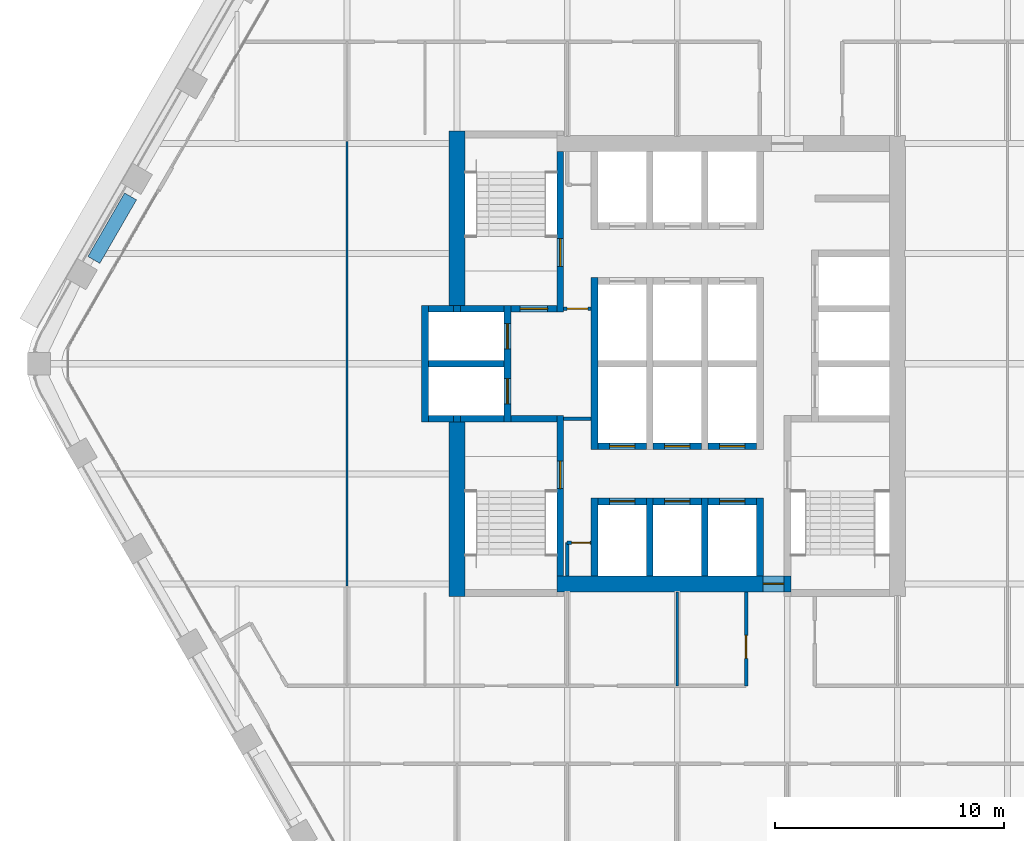
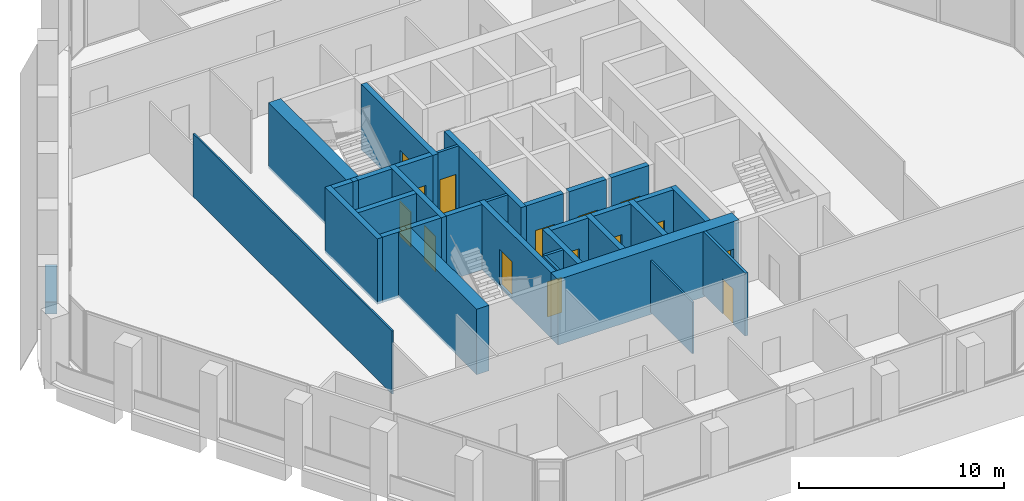
# One storey, part 9 of 15: 35 walls, 15 doors, 15 openings.
"""IFC4 building model written with IfcOpenShell, lengths in metres."""

from ifc_helpers import new_model, si_unit, direction, frame, frame_2d, origin, place, context, subcontext, project, spatial, rectangle, extrude, material, layer, layer_set, type_object, element, fill, save


model = new_model("IFC4")

# Units and contexts
model_context = context("Model", 3, precision=1e-05, world=origin(), true_north=direction((0.0, 1.0)))
body_context = subcontext(model_context, "Body", "Model", "MODEL_VIEW")
ifc_project = project(units=[si_unit("LENGTHUNIT", "METRE"), si_unit("AREAUNIT", "SQUARE_METRE"), si_unit("VOLUMEUNIT", "CUBIC_METRE"), si_unit("PLANEANGLEUNIT", "RADIAN"), si_unit("MASSUNIT", "GRAM", prefix="KILO")], contexts=[model_context])

# Site, building, storey
site_placement = place(None, origin())
site = spatial("IfcSite", under=ifc_project, at=site_placement, CompositionType="ELEMENT")
building_placement = place(site_placement, origin())
building = spatial("IfcBuilding", under=site, at=building_placement, Name="Kolab Exchange Tower", CompositionType="ELEMENT")
storey_placement = place(building_placement, frame((0.0, 0.0, 142.699951171875)))
storey = spatial("IfcBuildingStorey", under=building, at=storey_placement, Name="L28", CompositionType="ELEMENT", Elevation=142.699951171875)

# Wall, opening, door
ifc_material_1 = material(Name="Concrete C60/75", Category="concrete")
ifc_layer_1 = layer(ifc_material_1, 0.699951171875)
ifc_layer_set_1 = layer_set([ifc_layer_1], Name="Concrete C60/75")
wall_type_1 = type_object("IfcWallType", Name="CORE WALL 700 C60/75", PredefinedType="SHEAR", material=ifc_layer_set_1)
wall_1_placement = place(storey_placement, frame((-5.25, -9.60009765625, -0.14990234375), z_axis=(0.0, 0.0, 1.0), x_axis=(1.0, 0.0, 0.0)))
wall_1 = element("IfcWall", 1, at=wall_1_placement, inside=storey, type_object=wall_type_1, Name="wall/L28/core/002", PredefinedType="SHEAR", context=body_context, shape_type="SweptSolid", body=[
    extrude(rectangle(XDim=10.199951171875, YDim=0.699951171875, at=frame_2d((5.10009765625, 0.0))), origin(), (0.0, 0.0, 1.0), 3.89990234375),
])
opening_1_placement = place(wall_1_placement, frame((9.0, 0.0, 0.14990234375)))
opening_1 = element("IfcOpeningElement", 2, at=opening_1_placement, cuts=wall_1, Name="Opening D6-287", PredefinedType="OPENING", context=body_context, shape_type="SweptSolid", body=[
    extrude(rectangle(XDim=0.89990234375, YDim=2.10009765625, at=frame_2d((0.449951171875, 1.050048828125))), frame((0.0, 0.35986328125, 0.0), z_axis=(0.0, -1.0, 0.0), x_axis=(1.0, 0.0, 0.0)), (0.0, 0.0, 1.0), 0.719970703125),
])
ifc_material_2 = material(Name="Steel S235", Category="steel")
door_type_1 = type_object("IfcDoorType", Name="CORE DOOR 900 EI 120", OperationType="SINGLE_SWING_LEFT", PredefinedType="DOOR", material=ifc_material_2)
door_1_placement = place(opening_1_placement, origin())
door_1 = element("IfcDoor", 3, at=door_1_placement, inside=storey, type_object=door_type_1, Name="Core lobby door", OperationType="SINGLE_SWING_LEFT", OverallHeight=2.10009765625, OverallWidth=0.89990234375, PredefinedType="DOOR", context=body_context, shape_type="SweptSolid", body=[
    extrude(rectangle(XDim=0.89990234375, YDim=2.10009765625, at=frame_2d((0.449951171875, 1.050048828125))), frame((0.0, 0.02490234375, 0.0), z_axis=(0.0, -1.0, 0.0), x_axis=(1.0, 0.0, 0.0)), (0.0, 0.0, 1.0), 0.050048828125),
])
fill(opening_1, door_1)

# Walls
for number, where, z_axis, x_axis, name in (
    (4, (-9.60009765625, -10.14990234375, -0.14990234375), (0.0, 0.0, 1.0), (0.0, 1.0, 0.0), "wall/L28/core/034"),
    (5, (-9.60009765625, 2.550048828125, -0.14990234375), (0.0, 0.0, 1.0), (0.0, 1.0, 0.0), "wall/L28/core/037"),
):
    element("IfcWall", number, at=place(storey_placement, frame(where, z_axis=z_axis, x_axis=x_axis)), inside=storey, type_object=wall_type_1, Name=name, PredefinedType="SHEAR", context=body_context, shape_type="SweptSolid", body=[
        extrude(rectangle(XDim=7.599853515625, YDim=0.699951171875, at=frame_2d((3.7998046875, 0.0))), origin(), (0.0, 0.0, 1.0), 3.89990234375),
    ])

# Wall, opening, door
ifc_material_3 = material(Name="Concrete C50/60", Category="concrete")
ifc_layer_2 = layer(ifc_material_3, 0.300048828125)
ifc_layer_set_2 = layer_set([ifc_layer_2], Name="Concrete C50/60")
wall_type_2 = type_object("IfcWallType", Name="LIFT SHAFT WALL 300 C50/60", PredefinedType="STANDARD", material=ifc_layer_set_2)
wall_2_placement = place(storey_placement, frame((-3.449951171875, -6.0, -0.14990234375), z_axis=(0.0, 0.0, 1.0), x_axis=(1.0, 0.0, 0.0)))
wall_2 = element("IfcWall", 6, at=wall_2_placement, inside=storey, type_object=wall_type_2, Name="wall/L28/core/003", PredefinedType="STANDARD", context=body_context, shape_type="SweptSolid", body=[
    extrude(rectangle(XDim=2.099853515625, YDim=0.300048828125, at=frame_2d((1.0498046875, 0.0))), origin(), (0.0, 0.0, 1.0), 3.89990234375),
])
opening_2_placement = place(wall_2_placement, frame((0.5, 0.0, 0.14990234375)))
opening_2 = element("IfcOpeningElement", 7, at=opening_2_placement, cuts=wall_2, Name="Opening LD1-110", PredefinedType="OPENING", context=body_context, shape_type="SweptSolid", body=[
    extrude(rectangle(XDim=1.10009765625, YDim=2.10009765625, at=frame_2d((0.550048828125, 1.050048828125))), frame((0.0, 0.16015625, 0.0), z_axis=(0.0, -1.0, 0.0), x_axis=(1.0, 0.0, 0.0)), (0.0, 0.0, 1.0), 0.320068359375),
])
ifc_material_4 = material(Name="Stainless steel 316", Category="steel")
door_type_2 = type_object("IfcDoorType", Name="LANDING DOOR 1100 PASSENGER", OperationType="DOUBLE_DOOR_SLIDING", PredefinedType="DOOR", material=ifc_material_4)
door_2_placement = place(opening_2_placement, origin())
door_2 = element("IfcDoor", 8, at=door_2_placement, inside=storey, type_object=door_type_2, Name="Landing door HR10", OperationType="DOUBLE_DOOR_SLIDING", OverallHeight=2.10009765625, OverallWidth=1.10009765625, PredefinedType="DOOR", context=body_context, shape_type="SweptSolid", body=[
    extrude(rectangle(XDim=1.10009765625, YDim=2.10009765625, at=frame_2d((0.550048828125, 1.050048828125))), frame((0.0, 0.02490234375, 0.0), z_axis=(0.0, -1.0, 0.0), x_axis=(1.0, 0.0, 0.0)), (0.0, 0.0, 1.0), 0.050048828125),
])
fill(opening_2, door_2)

wall_3_placement = place(storey_placement, frame((-1.050048828125, -6.0, -0.14990234375), z_axis=(0.0, 0.0, 1.0), x_axis=(1.0, 0.0, 0.0)))
wall_3 = element("IfcWall", 9, at=wall_3_placement, inside=storey, type_object=wall_type_2, Name="wall/L28/core/004", PredefinedType="STANDARD", context=body_context, shape_type="SweptSolid", body=[
    extrude(rectangle(XDim=2.10009765625, YDim=0.300048828125, at=frame_2d((1.050048828125, 0.0))), origin(), (0.0, 0.0, 1.0), 3.89990234375),
])
opening_3_placement = place(wall_3_placement, frame((0.5, 0.0, 0.14990234375)))
opening_3 = element("IfcOpeningElement", 10, at=opening_3_placement, cuts=wall_3, Name="Opening LD1-111", PredefinedType="OPENING", context=body_context, shape_type="SweptSolid", body=[
    extrude(rectangle(XDim=1.10009765625, YDim=2.10009765625, at=frame_2d((0.550048828125, 1.050048828125))), frame((0.0, 0.16015625, 0.0), z_axis=(0.0, -1.0, 0.0), x_axis=(1.0, 0.0, 0.0)), (0.0, 0.0, 1.0), 0.320068359375),
])
door_3_placement = place(opening_3_placement, origin())
door_3 = element("IfcDoor", 11, at=door_3_placement, inside=storey, type_object=door_type_2, Name="Landing door HR11", OperationType="DOUBLE_DOOR_SLIDING", OverallHeight=2.10009765625, OverallWidth=1.10009765625, PredefinedType="DOOR", context=body_context, shape_type="SweptSolid", body=[
    extrude(rectangle(XDim=1.10009765625, YDim=2.10009765625, at=frame_2d((0.550048828125, 1.050048828125))), frame((0.0, 0.02490234375, 0.0), z_axis=(0.0, -1.0, 0.0), x_axis=(1.0, 0.0, 0.0)), (0.0, 0.0, 1.0), 0.050048828125),
])
fill(opening_3, door_3)

wall_4_placement = place(storey_placement, frame((1.35009765625, -6.0, -0.14990234375), z_axis=(0.0, 0.0, 1.0), x_axis=(1.0, 0.0, 0.0)))
wall_4 = element("IfcWall", 12, at=wall_4_placement, inside=storey, type_object=wall_type_2, Name="wall/L28/core/005", PredefinedType="STANDARD", context=body_context, shape_type="SweptSolid", body=[
    extrude(rectangle(XDim=2.099853515625, YDim=0.300048828125, at=frame_2d((1.0498046875, 0.0))), origin(), (0.0, 0.0, 1.0), 3.89990234375),
])
opening_4_placement = place(wall_4_placement, frame((0.5, 0.0, 0.14990234375)))
opening_4 = element("IfcOpeningElement", 13, at=opening_4_placement, cuts=wall_4, Name="Opening LD1-112", PredefinedType="OPENING", context=body_context, shape_type="SweptSolid", body=[
    extrude(rectangle(XDim=1.10009765625, YDim=2.10009765625, at=frame_2d((0.550048828125, 1.050048828125))), frame((0.0, 0.16015625, 0.0), z_axis=(0.0, -1.0, 0.0), x_axis=(1.0, 0.0, 0.0)), (0.0, 0.0, 1.0), 0.320068359375),
])
door_4_placement = place(opening_4_placement, origin())
door_4 = element("IfcDoor", 14, at=door_4_placement, inside=storey, type_object=door_type_2, Name="Landing door HR12", OperationType="DOUBLE_DOOR_SLIDING", OverallHeight=2.10009765625, OverallWidth=1.10009765625, PredefinedType="DOOR", context=body_context, shape_type="SweptSolid", body=[
    extrude(rectangle(XDim=1.10009765625, YDim=2.10009765625, at=frame_2d((0.550048828125, 1.050048828125))), frame((0.0, 0.02490234375, 0.0), z_axis=(0.0, -1.0, 0.0), x_axis=(1.0, 0.0, 0.0)), (0.0, 0.0, 1.0), 0.050048828125),
])
fill(opening_4, door_4)

wall_5_placement = place(storey_placement, frame((-3.449951171875, -3.60009765625, -0.14990234375), z_axis=(0.0, 0.0, 1.0), x_axis=(1.0, 0.0, 0.0)))
wall_5 = element("IfcWall", 15, at=wall_5_placement, inside=storey, type_object=wall_type_2, Name="wall/L28/core/006", PredefinedType="STANDARD", context=body_context, shape_type="SweptSolid", body=[
    extrude(rectangle(XDim=2.099853515625, YDim=0.300048828125, at=frame_2d((1.0498046875, 0.0))), origin(), (0.0, 0.0, 1.0), 3.89990234375),
])
opening_5_placement = place(wall_5_placement, frame((0.5, 0.0, 0.14990234375)))
opening_5 = element("IfcOpeningElement", 16, at=opening_5_placement, cuts=wall_5, Name="Opening LD1-118", PredefinedType="OPENING", context=body_context, shape_type="SweptSolid", body=[
    extrude(rectangle(XDim=1.10009765625, YDim=2.10009765625, at=frame_2d((0.550048828125, 1.050048828125))), frame((0.0, 0.16015625, 0.0), z_axis=(0.0, -1.0, 0.0), x_axis=(1.0, 0.0, 0.0)), (0.0, 0.0, 1.0), 0.320068359375),
])
door_5_placement = place(opening_5_placement, origin())
door_5 = element("IfcDoor", 17, at=door_5_placement, inside=storey, type_object=door_type_2, Name="Landing door HR7", OperationType="DOUBLE_DOOR_SLIDING", OverallHeight=2.10009765625, OverallWidth=1.10009765625, PredefinedType="DOOR", context=body_context, shape_type="SweptSolid", body=[
    extrude(rectangle(XDim=1.10009765625, YDim=2.10009765625, at=frame_2d((0.550048828125, 1.050048828125))), frame((0.0, 0.02490234375, 0.0), z_axis=(0.0, -1.0, 0.0), x_axis=(1.0, 0.0, 0.0)), (0.0, 0.0, 1.0), 0.050048828125),
])
fill(opening_5, door_5)

wall_6_placement = place(storey_placement, frame((-1.050048828125, -3.60009765625, -0.14990234375), z_axis=(0.0, 0.0, 1.0), x_axis=(1.0, 0.0, 0.0)))
wall_6 = element("IfcWall", 18, at=wall_6_placement, inside=storey, type_object=wall_type_2, Name="wall/L28/core/007", PredefinedType="STANDARD", context=body_context, shape_type="SweptSolid", body=[
    extrude(rectangle(XDim=2.10009765625, YDim=0.300048828125, at=frame_2d((1.050048828125, 0.0))), origin(), (0.0, 0.0, 1.0), 3.89990234375),
])
opening_6_placement = place(wall_6_placement, frame((0.5, 0.0, 0.14990234375)))
opening_6 = element("IfcOpeningElement", 19, at=opening_6_placement, cuts=wall_6, Name="Opening LD1-119", PredefinedType="OPENING", context=body_context, shape_type="SweptSolid", body=[
    extrude(rectangle(XDim=1.10009765625, YDim=2.10009765625, at=frame_2d((0.550048828125, 1.050048828125))), frame((0.0, 0.16015625, 0.0), z_axis=(0.0, -1.0, 0.0), x_axis=(1.0, 0.0, 0.0)), (0.0, 0.0, 1.0), 0.320068359375),
])
door_6_placement = place(opening_6_placement, origin())
door_6 = element("IfcDoor", 20, at=door_6_placement, inside=storey, type_object=door_type_2, Name="Landing door HR8", OperationType="DOUBLE_DOOR_SLIDING", OverallHeight=2.10009765625, OverallWidth=1.10009765625, PredefinedType="DOOR", context=body_context, shape_type="SweptSolid", body=[
    extrude(rectangle(XDim=1.10009765625, YDim=2.10009765625, at=frame_2d((0.550048828125, 1.050048828125))), frame((0.0, 0.02490234375, 0.0), z_axis=(0.0, -1.0, 0.0), x_axis=(1.0, 0.0, 0.0)), (0.0, 0.0, 1.0), 0.050048828125),
])
fill(opening_6, door_6)

wall_7_placement = place(storey_placement, frame((1.35009765625, -3.60009765625, -0.14990234375), z_axis=(0.0, 0.0, 1.0), x_axis=(1.0, 0.0, 0.0)))
wall_7 = element("IfcWall", 21, at=wall_7_placement, inside=storey, type_object=wall_type_2, Name="wall/L28/core/008", PredefinedType="STANDARD", context=body_context, shape_type="SweptSolid", body=[
    extrude(rectangle(XDim=2.099853515625, YDim=0.300048828125, at=frame_2d((1.0498046875, 0.0))), origin(), (0.0, 0.0, 1.0), 3.89990234375),
])
opening_7_placement = place(wall_7_placement, frame((0.5, 0.0, 0.14990234375)))
opening_7 = element("IfcOpeningElement", 22, at=opening_7_placement, cuts=wall_7, Name="Opening LD1-120", PredefinedType="OPENING", context=body_context, shape_type="SweptSolid", body=[
    extrude(rectangle(XDim=1.10009765625, YDim=2.10009765625, at=frame_2d((0.550048828125, 1.050048828125))), frame((0.0, 0.16015625, 0.0), z_axis=(0.0, -1.0, 0.0), x_axis=(1.0, 0.0, 0.0)), (0.0, 0.0, 1.0), 0.320068359375),
])
door_7_placement = place(opening_7_placement, origin())
door_7 = element("IfcDoor", 23, at=door_7_placement, inside=storey, type_object=door_type_2, Name="Landing door HR9", OperationType="DOUBLE_DOOR_SLIDING", OverallHeight=2.10009765625, OverallWidth=1.10009765625, PredefinedType="DOOR", context=body_context, shape_type="SweptSolid", body=[
    extrude(rectangle(XDim=1.10009765625, YDim=2.10009765625, at=frame_2d((0.550048828125, 1.050048828125))), frame((0.0, 0.02490234375, 0.0), z_axis=(0.0, -1.0, 0.0), x_axis=(1.0, 0.0, 0.0)), (0.0, 0.0, 1.0), 0.050048828125),
])
fill(opening_7, door_7)

# Walls
wall_8_placement = place(storey_placement, frame((-10.85009765625, -2.39990234375, -0.14990234375), z_axis=(0.0, 0.0, 1.0), x_axis=(1.0, 0.0, 0.0)))
element("IfcWall", 24, at=wall_8_placement, inside=storey, type_object=wall_type_2, Name="wall/L28/core/009", PredefinedType="STANDARD", context=body_context, shape_type="SweptSolid", body=[
    extrude(rectangle(XDim=1.10009765625, YDim=0.300048828125, at=frame_2d((0.550048828125, 0.0))), origin(), (0.0, 0.0, 1.0), 3.89990234375),
])
wall_9_placement = place(storey_placement, frame((-10.85009765625, 0.0, -0.14990234375), z_axis=(0.0, 0.0, 1.0), x_axis=(1.0, 0.0, 0.0)))
element("IfcWall", 25, at=wall_9_placement, inside=storey, type_object=wall_type_2, Name="wall/L28/core/014", PredefinedType="STANDARD", context=body_context, shape_type="SweptSolid", body=[
    extrude(rectangle(XDim=3.300048828125, YDim=0.300048828125, at=frame_2d((1.64990234375, 0.0))), origin(), (0.0, 0.0, 1.0), 3.89990234375),
])
wall_10_placement = place(storey_placement, frame((-10.85009765625, 2.39990234375, -0.14990234375), z_axis=(0.0, 0.0, 1.0), x_axis=(1.0, 0.0, 0.0)))
element("IfcWall", 26, at=wall_10_placement, inside=storey, type_object=wall_type_2, Name="wall/L28/core/019", PredefinedType="STANDARD", context=body_context, shape_type="SweptSolid", body=[
    extrude(rectangle(XDim=1.10009765625, YDim=0.300048828125, at=frame_2d((0.550048828125, 0.0))), origin(), (0.0, 0.0, 1.0), 3.89990234375),
])
wall_11_placement = place(storey_placement, frame((-11.0, -2.550048828125, -0.14990234375), z_axis=(0.0, 0.0, 1.0), x_axis=(0.0, 1.0, 0.0)))
element("IfcWall", 27, at=wall_11_placement, inside=storey, type_object=wall_type_2, Name="wall/L28/core/033", PredefinedType="STANDARD", context=body_context, shape_type="SweptSolid", body=[
    extrude(rectangle(XDim=5.10009765625, YDim=0.300048828125, at=frame_2d((2.550048828125, 0.0))), origin(), (0.0, 0.0, 1.0), 3.89990234375),
])

# Wall, openings, doors
wall_12_placement = place(storey_placement, frame((-7.39990234375, -2.550048828125, -0.14990234375), z_axis=(0.0, 0.0, 1.0), x_axis=(0.0, 1.0, 0.0)))
wall_12 = element("IfcWall", 28, at=wall_12_placement, inside=storey, type_object=wall_type_2, Name="wall/L28/core/038", PredefinedType="STANDARD", context=body_context, shape_type="SweptSolid", body=[
    extrude(rectangle(XDim=5.10009765625, YDim=0.300048828125, at=frame_2d((2.550048828125, 0.0))), origin(), (0.0, 0.0, 1.0), 3.89990234375),
])
opening_8_placement = place(wall_12_placement, frame((0.800048828125, 0.0, 0.14990234375)))
opening_8 = element("IfcOpeningElement", 29, at=opening_8_placement, cuts=wall_12, Name="Opening LD2-025", PredefinedType="OPENING", context=body_context, shape_type="SweptSolid", body=[
    extrude(rectangle(XDim=1.10009765625, YDim=2.10009765625, at=frame_2d((0.550048828125, 1.050048828125))), frame((0.0, 0.16015625, 0.0), z_axis=(0.0, -1.0, 0.0), x_axis=(1.0, 0.0, 0.0)), (0.0, 0.0, 1.0), 0.320068359375),
])
opening_9_placement = place(wall_12_placement, frame((3.199951171875, 0.0, 0.14990234375)))
opening_9 = element("IfcOpeningElement", 30, at=opening_9_placement, cuts=wall_12, Name="Opening LD2-026", PredefinedType="OPENING", context=body_context, shape_type="SweptSolid", body=[
    extrude(rectangle(XDim=1.10009765625, YDim=2.10009765625, at=frame_2d((0.550048828125, 1.050048828125))), frame((0.0, 0.16015625, 0.0), z_axis=(0.0, -1.0, 0.0), x_axis=(1.0, 0.0, 0.0)), (0.0, 0.0, 1.0), 0.320068359375),
])
door_type_3 = type_object("IfcDoorType", Name="LANDING DOOR 1100 FIREFIGHTING", OperationType="DOUBLE_DOOR_SLIDING", PredefinedType="DOOR", material=ifc_material_4)
door_8_placement = place(opening_8_placement, origin())
door_8 = element("IfcDoor", 31, at=door_8_placement, inside=storey, type_object=door_type_3, Name="Landing door FF1", OperationType="DOUBLE_DOOR_SLIDING", OverallHeight=2.10009765625, OverallWidth=1.10009765625, PredefinedType="DOOR", context=body_context, shape_type="SweptSolid", body=[
    extrude(rectangle(XDim=1.10009765625, YDim=2.10009765625, at=frame_2d((0.550048828125, 1.050048828125))), frame((0.0, 0.02490234375, 0.0), z_axis=(0.0, -1.0, 0.0), x_axis=(1.0, 0.0, 0.0)), (0.0, 0.0, 1.0), 0.050048828125),
])
fill(opening_8, door_8)
door_9_placement = place(opening_9_placement, origin())
door_9 = element("IfcDoor", 32, at=door_9_placement, inside=storey, type_object=door_type_3, Name="Landing door FF2", OperationType="DOUBLE_DOOR_SLIDING", OverallHeight=2.10009765625, OverallWidth=1.10009765625, PredefinedType="DOOR", context=body_context, shape_type="SweptSolid", body=[
    extrude(rectangle(XDim=1.10009765625, YDim=2.10009765625, at=frame_2d((0.550048828125, 1.050048828125))), frame((0.0, 0.02490234375, 0.0), z_axis=(0.0, -1.0, 0.0), x_axis=(1.0, 0.0, 0.0)), (0.0, 0.0, 1.0), 0.050048828125),
])
fill(opening_9, door_9)

# Walls
wall_13_placement = place(storey_placement, frame((-3.60009765625, -9.25, -0.14990234375), z_axis=(0.0, 0.0, 1.0), x_axis=(0.0, 1.0, 0.0)))
element("IfcWall", 33, at=wall_13_placement, inside=storey, type_object=wall_type_2, Name="wall/L28/core/043", PredefinedType="STANDARD", context=body_context, shape_type="SweptSolid", body=[
    extrude(rectangle(XDim=3.39990234375, YDim=0.300048828125, at=frame_2d((1.699951171875, 0.0))), origin(), (0.0, 0.0, 1.0), 3.89990234375),
])
wall_14_placement = place(storey_placement, frame((-3.60009765625, -3.75, -0.14990234375), z_axis=(0.0, 0.0, 1.0), x_axis=(0.0, 1.0, 0.0)))
element("IfcWall", 34, at=wall_14_placement, inside=storey, type_object=wall_type_2, Name="wall/L28/core/044", PredefinedType="STANDARD", context=body_context, shape_type="SweptSolid", body=[
    extrude(rectangle(XDim=7.5, YDim=0.300048828125, at=frame_2d((3.75, 0.0))), origin(), (0.0, 0.0, 1.0), 3.89990234375),
])
for number, where, z_axis, x_axis, name in (
    (35, (-1.199951171875, -9.25, -0.14990234375), (0.0, 0.0, 1.0), (0.0, 1.0, 0.0), "wall/L28/core/046"),
    (36, (1.199951171875, -9.25, -0.14990234375), (0.0, 0.0, 1.0), (0.0, 1.0, 0.0), "wall/L28/core/049"),
    (37, (3.60009765625, -9.25, -0.14990234375), (0.0, 0.0, 1.0), (0.0, 1.0, 0.0), "wall/L28/core/052"),
):
    element("IfcWall", number, at=place(storey_placement, frame(where, z_axis=z_axis, x_axis=x_axis)), inside=storey, type_object=wall_type_2, Name=name, PredefinedType="STANDARD", context=body_context, shape_type="SweptSolid", body=[
        extrude(rectangle(XDim=3.39990234375, YDim=0.300048828125, at=frame_2d((1.699951171875, 0.0))), origin(), (0.0, 0.0, 1.0), 3.89990234375),
    ])
ifc_material_5 = material(Name="Gypsum board", Category="gypsum")
ifc_layer_3 = layer(ifc_material_5, 0.10009765625)
ifc_layer_set_3 = layer_set([ifc_layer_3], Name="Gypsum board")
wall_type_3 = type_object("IfcWallType", Name="PARTITION 100", PredefinedType="PARTITIONING", material=ifc_layer_set_3)
wall_15_placement = place(storey_placement, frame((0.0, -14.04150390625, 0.0), z_axis=(0.0, 0.0, 1.0), x_axis=(0.0, 1.0, 0.0)))
element("IfcWall", 38, at=wall_15_placement, inside=storey, type_object=wall_type_3, Name="Partition 011", PredefinedType="PARTITIONING", context=body_context, shape_type="SweptSolid", body=[
    extrude(rectangle(XDim=4.091552734375, YDim=0.10009765625, at=frame_2d((2.0458984375, 0.0))), origin(), (0.0, 0.0, 1.0), 3.066162109375),
])
wall_16_placement = place(storey_placement, frame((-14.39990234375, -9.693603515625, 0.0), z_axis=(0.0, 0.0, 1.0), x_axis=(0.0, 1.0, 0.0)))
element("IfcWall", 39, at=wall_16_placement, inside=storey, type_object=wall_type_3, Name="Partition 023", PredefinedType="PARTITIONING", context=body_context, shape_type="SweptSolid", body=[
    extrude(rectangle(XDim=19.38720703125, YDim=0.10009765625, at=frame_2d((9.693603515625, 0.0))), origin(), (0.0, 0.0, 1.0), 3.75),
])

# Wall, opening, door
ifc_layer_4 = layer(ifc_material_5, 0.14990234375)
ifc_layer_set_4 = layer_set([ifc_layer_4], Name="Gypsum board")
wall_type_4 = type_object("IfcWallType", Name="PARTITION 150 FIRE-RATED", PredefinedType="PARTITIONING", material=ifc_layer_set_4)
wall_17_placement = place(storey_placement, frame((3.0, -14.04150390625, 0.0), z_axis=(0.0, 0.0, 1.0), x_axis=(0.0, 1.0, 0.0)))
wall_17 = element("IfcWall", 40, at=wall_17_placement, inside=storey, type_object=wall_type_4, Name="Partition 009", PredefinedType="PARTITIONING", context=body_context, shape_type="SweptSolid", body=[
    extrude(rectangle(XDim=4.091552734375, YDim=0.14990234375, at=frame_2d((2.0458984375, 0.0))), origin(), (0.0, 0.0, 1.0), 3.75),
])
opening_10_placement = place(wall_17_placement, frame((1.199462890625, 0.0, 0.0)))
opening_10 = element("IfcOpeningElement", 41, at=opening_10_placement, cuts=wall_17, Name="Opening D1-405", PredefinedType="OPENING", context=body_context, shape_type="SweptSolid", body=[
    extrude(rectangle(XDim=1.0, YDim=2.10009765625, at=frame_2d((0.5, 1.050048828125))), frame((0.0, 0.0849609375, 0.0), z_axis=(0.0, -1.0, 0.0), x_axis=(1.0, 0.0, 0.0)), (0.0, 0.0, 1.0), 0.169921875),
])
door_type_4 = type_object("IfcDoorType", Name="FLUSH DOOR 1000 FD60", OperationType="SINGLE_SWING_LEFT", PredefinedType="DOOR", material=ifc_material_2)
door_10_placement = place(opening_10_placement, origin())
door_10 = element("IfcDoor", 42, at=door_10_placement, inside=storey, type_object=door_type_4, Name="Door L28-038", OperationType="SINGLE_SWING_LEFT", OverallHeight=2.10009765625, OverallWidth=1.0, PredefinedType="DOOR", context=body_context, shape_type="SweptSolid", body=[
    extrude(rectangle(XDim=1.0, YDim=2.10009765625, at=frame_2d((0.5, 1.050048828125))), frame((0.0, 0.02490234375, 0.0), z_axis=(0.0, -1.0, 0.0), x_axis=(1.0, 0.0, 0.0)), (0.0, 0.0, 1.0), 0.050048828125),
])
fill(opening_10, door_10)

# Wall
wall_18_placement = place(storey_placement, frame((-4.800048828125, -9.25, 0.0), z_axis=(0.0, 0.0, 1.0), x_axis=(0.0, 1.0, 0.0)))
element("IfcWall", 43, at=wall_18_placement, inside=storey, type_object=wall_type_4, Name="Partition 017", PredefinedType="PARTITIONING", context=body_context, shape_type="SweptSolid", body=[
    extrude(rectangle(XDim=1.449951171875, YDim=0.14990234375, at=frame_2d((0.72509765625, 0.0))), origin(), (0.0, 0.0, 1.0), 3.75),
])

# Wall, opening, door
wall_19_placement = place(storey_placement, frame((-4.800048828125, -7.800048828125, 0.0), z_axis=(0.0, 0.0, 1.0), x_axis=(1.0, 0.0, 0.0)))
wall_19 = element("IfcWall", 44, at=wall_19_placement, inside=storey, type_object=wall_type_4, Name="Partition 031", PredefinedType="PARTITIONING", context=body_context, shape_type="SweptSolid", body=[
    extrude(rectangle(XDim=1.050048828125, YDim=0.14990234375, at=frame_2d((0.52490234375, 0.0))), origin(), (0.0, 0.0, 1.0), 3.75),
])
opening_11_placement = place(wall_19_placement, frame((0.199951171875, 0.0, 0.0)))
opening_11 = element("IfcOpeningElement", 45, at=opening_11_placement, cuts=wall_19, Name="Opening D7-031", PredefinedType="OPENING", context=body_context, shape_type="SweptSolid", body=[
    extrude(rectangle(XDim=0.800048828125, YDim=2.10009765625, at=frame_2d((0.39990234375, 1.050048828125))), frame((0.0, 0.0849609375, 0.0), z_axis=(0.0, -1.0, 0.0), x_axis=(1.0, 0.0, 0.0)), (0.0, 0.0, 1.0), 0.169921875),
])
door_type_5 = type_object("IfcDoorType", Name="FLUSH DOOR 800 FD60", OperationType="SINGLE_SWING_LEFT", PredefinedType="DOOR", material=ifc_material_2)
door_11_placement = place(opening_11_placement, frame((0.800048828125, 0.0, 0.0), z_axis=(0.0, 0.0, 1.0), x_axis=(-1.0, 0.0, 0.0)))
door_11 = element("IfcDoor", 46, at=door_11_placement, inside=storey, type_object=door_type_5, Name="Door L28-024", OperationType="SINGLE_SWING_RIGHT", OverallHeight=2.10009765625, OverallWidth=0.800048828125, PredefinedType="DOOR", context=body_context, shape_type="SweptSolid", body=[
    extrude(rectangle(XDim=0.800048828125, YDim=2.10009765625, at=frame_2d((0.39990234375, 1.050048828125))), frame((0.0, 0.02490234375, 0.0), z_axis=(0.0, -1.0, 0.0), x_axis=(1.0, 0.0, 0.0)), (0.0, 0.0, 1.0), 0.050048828125),
])
fill(opening_11, door_11)

wall_20_placement = place(storey_placement, frame((-4.949951171875, 2.39990234375, 0.0), z_axis=(0.0, 0.0, 1.0), x_axis=(1.0, 0.0, 0.0)))
wall_20 = element("IfcWall", 47, at=wall_20_placement, inside=storey, type_object=wall_type_4, Name="Fire partition", PredefinedType="PARTITIONING", context=body_context, shape_type="SweptSolid", body=[
    extrude(rectangle(XDim=1.199951171875, YDim=0.14990234375, at=frame_2d((0.60009765625, 0.0))), origin(), (0.0, 0.0, 1.0), 3.75),
])
opening_12_placement = place(wall_20_placement, frame((0.14990234375, 0.0, 0.0)))
opening_12 = element("IfcOpeningElement", 48, at=opening_12_placement, cuts=wall_20, Name="Opening D6-288", PredefinedType="OPENING", context=body_context, shape_type="SweptSolid", body=[
    extrude(rectangle(XDim=0.89990234375, YDim=2.10009765625, at=frame_2d((0.449951171875, 1.050048828125))), frame((0.0, 0.0849609375, 0.0), z_axis=(0.0, -1.0, 0.0), x_axis=(1.0, 0.0, 0.0)), (0.0, 0.0, 1.0), 0.169921875),
])
door_12_placement = place(opening_12_placement, frame((0.89990234375, 0.0, 0.0), z_axis=(0.0, 0.0, 1.0), x_axis=(-1.0, 0.0, 0.0)))
door_12 = element("IfcDoor", 49, at=door_12_placement, inside=storey, type_object=door_type_1, Name="Firefighting lobby door", OperationType="SINGLE_SWING_RIGHT", OverallHeight=2.10009765625, OverallWidth=0.89990234375, PredefinedType="DOOR", context=body_context, shape_type="SweptSolid", body=[
    extrude(rectangle(XDim=0.89990234375, YDim=2.10009765625, at=frame_2d((0.449951171875, 1.050048828125))), frame((0.0, 0.02490234375, 0.0), z_axis=(0.0, -1.0, 0.0), x_axis=(1.0, 0.0, 0.0)), (0.0, 0.0, 1.0), 0.050048828125),
])
fill(opening_12, door_12)

# Walls
wall_21_placement = place(storey_placement, frame((-4.949951171875, -2.39990234375, 0.0), z_axis=(0.0, 0.0, 1.0), x_axis=(1.0, 0.0, 0.0)))
element("IfcWall", 50, at=wall_21_placement, inside=storey, type_object=wall_type_4, Name="Fire partition", PredefinedType="PARTITIONING", context=body_context, shape_type="SweptSolid", body=[
    extrude(rectangle(XDim=1.199951171875, YDim=0.14990234375, at=frame_2d((0.60009765625, 0.0))), origin(), (0.0, 0.0, 1.0), 3.75),
])
ifc_material_6 = material(Name="Granite facing", Category="masonry")
ifc_layer_5 = layer(ifc_material_6, 0.0400390625)
ifc_material_7 = material(Name="Concrete C40/50 precast", Category="concrete")
ifc_layer_6 = layer(ifc_material_7, 0.56005859375)
ifc_layer_set_5 = layer_set([ifc_layer_5, ifc_layer_6], Name="Concrete C40/50 precast")
wall_type_5 = type_object("IfcWallType", Name="PLANTER BOX 600 X 700 SOIL DEPTH 550", PredefinedType="USERDEFINED", material=ifc_layer_set_5)
wall_22_placement = place(storey_placement, frame((-25.43701171875, 4.524658203125, 0.0), z_axis=(0.0, 0.0, 1.0), x_axis=(0.499938187974, 0.866061088033, 0.0)))
element("IfcWall", 51, at=wall_22_placement, inside=storey, type_object=wall_type_5, Name="Planter", ObjectType="PLANTER", PredefinedType="USERDEFINED", context=body_context, shape_type="SweptSolid", body=[
    extrude(rectangle(XDim=3.2001953125, YDim=0.60009765625, at=frame_2d((1.60009765625, 0.0))), origin(), (0.0, 0.0, 1.0), 0.699951171875),
])
ifc_layer_7 = layer(ifc_material_3, 0.300048828125)
ifc_layer_set_6 = layer_set([ifc_layer_7], Name="Concrete C50/60")
wall_type_6 = type_object("IfcWallType", Name="STAIR ENCLOSURE WALL 300 C50/60", PredefinedType="STANDARD", material=ifc_layer_set_6)
wall_23_placement = place(storey_placement, frame((-9.449951171875, -2.39990234375, -0.14990234375), z_axis=(0.0, 0.0, 1.0), x_axis=(1.0, 0.0, 0.0)))
element("IfcWall", 52, at=wall_23_placement, inside=storey, type_object=wall_type_6, Name="wall/L28/core/010", PredefinedType="STANDARD", context=body_context, shape_type="SweptSolid", body=[
    extrude(rectangle(XDim=1.89990234375, YDim=0.300048828125, at=frame_2d((0.949951171875, 0.0))), origin(), (0.0, 0.0, 1.0), 3.89990234375),
])
wall_24_placement = place(storey_placement, frame((-7.25, -2.39990234375, -0.14990234375), z_axis=(0.0, 0.0, 1.0), x_axis=(1.0, 0.0, 0.0)))
element("IfcWall", 53, at=wall_24_placement, inside=storey, type_object=wall_type_6, Name="wall/L28/core/011", PredefinedType="STANDARD", context=body_context, shape_type="SweptSolid", body=[
    extrude(rectangle(XDim=2.0, YDim=0.300048828125, at=frame_2d((1.0, 0.0))), origin(), (0.0, 0.0, 1.0), 3.89990234375),
])
wall_25_placement = place(storey_placement, frame((-9.449951171875, 2.39990234375, -0.14990234375), z_axis=(0.0, 0.0, 1.0), x_axis=(1.0, 0.0, 0.0)))
element("IfcWall", 54, at=wall_25_placement, inside=storey, type_object=wall_type_6, Name="wall/L28/core/020", PredefinedType="STANDARD", context=body_context, shape_type="SweptSolid", body=[
    extrude(rectangle(XDim=1.89990234375, YDim=0.300048828125, at=frame_2d((0.949951171875, 0.0))), origin(), (0.0, 0.0, 1.0), 3.89990234375),
])

# Wall, opening, door
wall_26_placement = place(storey_placement, frame((-7.25, 2.39990234375, -0.14990234375), z_axis=(0.0, 0.0, 1.0), x_axis=(1.0, 0.0, 0.0)))
wall_26 = element("IfcWall", 55, at=wall_26_placement, inside=storey, type_object=wall_type_6, Name="wall/L28/core/021", PredefinedType="STANDARD", context=body_context, shape_type="SweptSolid", body=[
    extrude(rectangle(XDim=2.0, YDim=0.300048828125, at=frame_2d((1.0, 0.0))), origin(), (0.0, 0.0, 1.0), 3.89990234375),
])
opening_13_placement = place(wall_26_placement, frame((0.39990234375, 0.0, 0.14990234375)))
opening_13 = element("IfcOpeningElement", 56, at=opening_13_placement, cuts=wall_26, Name="Opening D4-065", PredefinedType="OPENING", context=body_context, shape_type="SweptSolid", body=[
    extrude(rectangle(XDim=1.199951171875, YDim=2.10009765625, at=frame_2d((0.60009765625, 1.050048828125))), frame((0.0, 0.16015625, 0.0), z_axis=(0.0, -1.0, 0.0), x_axis=(1.0, 0.0, 0.0)), (0.0, 0.0, 1.0), 0.320068359375),
])
door_type_6 = type_object("IfcDoorType", Name="STAIR DOOR 1200 EI 120", OperationType="SINGLE_SWING_LEFT", PredefinedType="DOOR", material=ifc_material_2)
door_13_placement = place(opening_13_placement, origin())
door_13 = element("IfcDoor", 57, at=door_13_placement, inside=storey, type_object=door_type_6, Name="Stair 1 door", OperationType="SINGLE_SWING_RIGHT", OverallHeight=2.10009765625, OverallWidth=1.199951171875, PredefinedType="DOOR", context=body_context, shape_type="SweptSolid", body=[
    extrude(rectangle(XDim=1.199951171875, YDim=2.10009765625, at=frame_2d((0.60009765625, 1.050048828125))), frame((0.0, 0.02490234375, 0.0), z_axis=(0.0, -1.0, 0.0), x_axis=(1.0, 0.0, 0.0)), (0.0, 0.0, 1.0), 0.050048828125),
])
fill(opening_13, door_13)

# Walls
for number, where, z_axis, x_axis, name in (
    (58, (-9.60009765625, -2.550048828125, -0.14990234375), (0.0, 0.0, 1.0), (0.0, 1.0, 0.0), "wall/L28/core/035"),
    (59, (-9.60009765625, 2.25, -0.14990234375), (0.0, 0.0, 1.0), (0.0, 1.0, 0.0), "wall/L28/core/036"),
):
    element("IfcWall", number, at=place(storey_placement, frame(where, z_axis=z_axis, x_axis=x_axis)), inside=storey, type_object=wall_type_6, Name=name, PredefinedType="STANDARD", context=body_context, shape_type="SweptSolid", body=[
        extrude(rectangle(XDim=0.300048828125, YDim=0.300048828125, at=frame_2d((0.14990234375, 0.0))), origin(), (0.0, 0.0, 1.0), 3.89990234375),
    ])

# Wall, opening, door
wall_27_placement = place(storey_placement, frame((-5.10009765625, -9.25, -0.14990234375), z_axis=(0.0, 0.0, 1.0), x_axis=(0.0, 1.0, 0.0)))
wall_27 = element("IfcWall", 60, at=wall_27_placement, inside=storey, type_object=wall_type_6, Name="wall/L28/core/040", PredefinedType="STANDARD", context=body_context, shape_type="SweptSolid", body=[
    extrude(rectangle(XDim=7.0, YDim=0.300048828125, at=frame_2d((3.5, 0.0))), origin(), (0.0, 0.0, 1.0), 3.89990234375),
])
opening_14_placement = place(wall_27_placement, frame((3.800048828125, 0.0, 0.14990234375)))
opening_14 = element("IfcOpeningElement", 61, at=opening_14_placement, cuts=wall_27, Name="Opening D4-068", PredefinedType="OPENING", context=body_context, shape_type="SweptSolid", body=[
    extrude(rectangle(XDim=1.199951171875, YDim=2.10009765625, at=frame_2d((0.60009765625, 1.050048828125))), frame((0.0, 0.16015625, 0.0), z_axis=(0.0, -1.0, 0.0), x_axis=(1.0, 0.0, 0.0)), (0.0, 0.0, 1.0), 0.320068359375),
])
door_14_placement = place(opening_14_placement, origin())
door_14 = element("IfcDoor", 62, at=door_14_placement, inside=storey, type_object=door_type_6, Name="Stair 3 door", OperationType="SINGLE_SWING_RIGHT", OverallHeight=2.10009765625, OverallWidth=1.199951171875, PredefinedType="DOOR", context=body_context, shape_type="SweptSolid", body=[
    extrude(rectangle(XDim=1.199951171875, YDim=2.10009765625, at=frame_2d((0.60009765625, 1.050048828125))), frame((0.0, 0.02490234375, 0.0), z_axis=(0.0, -1.0, 0.0), x_axis=(1.0, 0.0, 0.0)), (0.0, 0.0, 1.0), 0.050048828125),
])
fill(opening_14, door_14)

wall_28_placement = place(storey_placement, frame((-5.10009765625, 2.25, -0.14990234375), z_axis=(0.0, 0.0, 1.0), x_axis=(0.0, 1.0, 0.0)))
wall_28 = element("IfcWall", 63, at=wall_28_placement, inside=storey, type_object=wall_type_6, Name="wall/L28/core/041", PredefinedType="STANDARD", context=body_context, shape_type="SweptSolid", body=[
    extrude(rectangle(XDim=7.0, YDim=0.300048828125, at=frame_2d((3.5, 0.0))), origin(), (0.0, 0.0, 1.0), 3.89990234375),
])
opening_15_placement = place(wall_28_placement, frame((2.0, 0.0, 0.14990234375)))
opening_15 = element("IfcOpeningElement", 64, at=opening_15_placement, cuts=wall_28, Name="Opening D4-066", PredefinedType="OPENING", context=body_context, shape_type="SweptSolid", body=[
    extrude(rectangle(XDim=1.199951171875, YDim=2.10009765625, at=frame_2d((0.60009765625, 1.050048828125))), frame((0.0, 0.16015625, 0.0), z_axis=(0.0, -1.0, 0.0), x_axis=(1.0, 0.0, 0.0)), (0.0, 0.0, 1.0), 0.320068359375),
])
door_15_placement = place(opening_15_placement, origin())
door_15 = element("IfcDoor", 65, at=door_15_placement, inside=storey, type_object=door_type_6, Name="Stair 1 door", OperationType="SINGLE_SWING_LEFT", OverallHeight=2.10009765625, OverallWidth=1.199951171875, PredefinedType="DOOR", context=body_context, shape_type="SweptSolid", body=[
    extrude(rectangle(XDim=1.199951171875, YDim=2.10009765625, at=frame_2d((0.60009765625, 1.050048828125))), frame((0.0, 0.02490234375, 0.0), z_axis=(0.0, -1.0, 0.0), x_axis=(1.0, 0.0, 0.0)), (0.0, 0.0, 1.0), 0.050048828125),
])
fill(opening_15, door_15)

save(model, "model.ifc")
